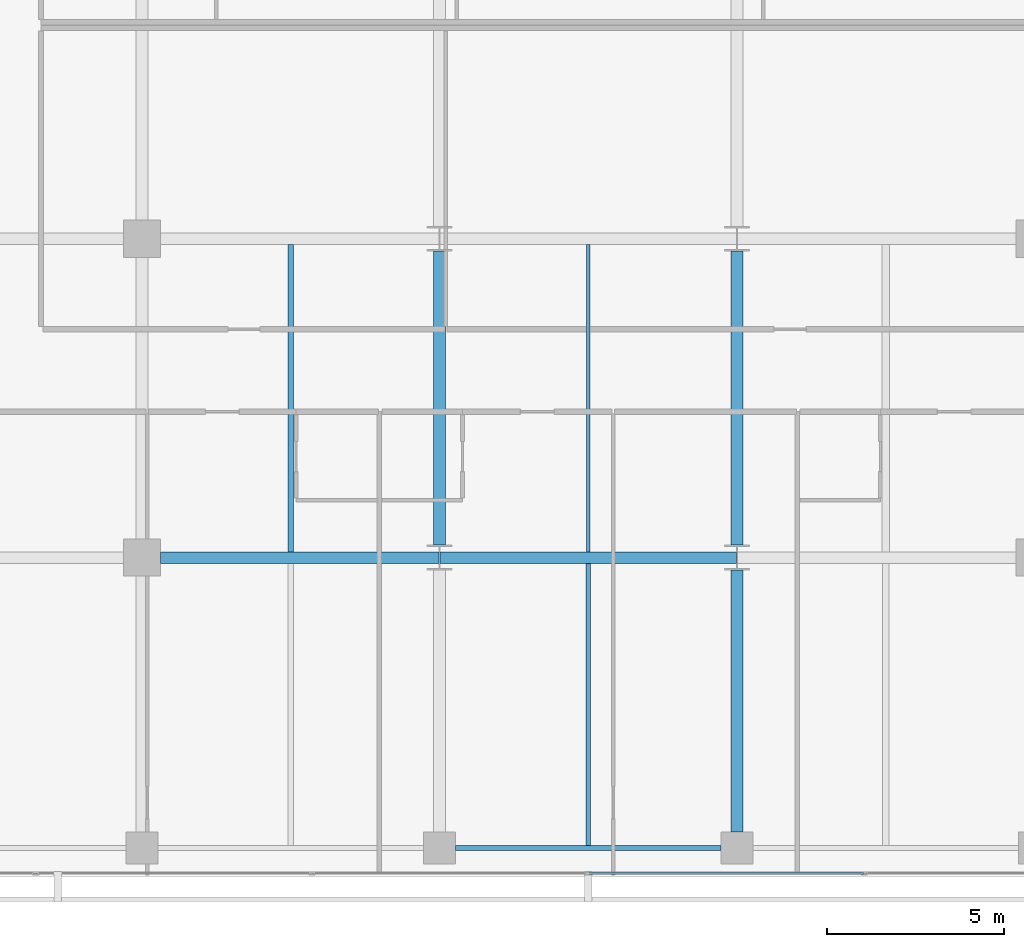
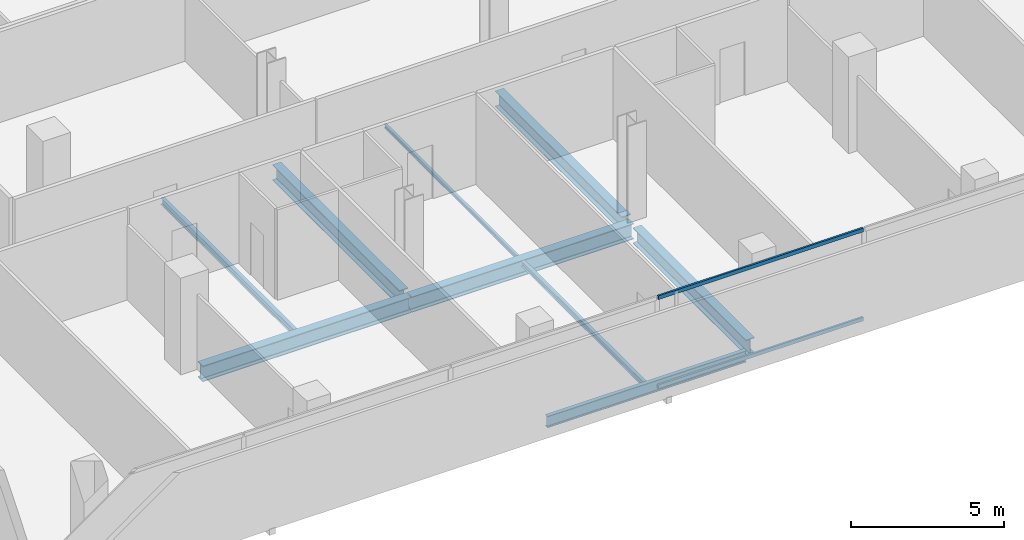
# One storey, part 9 of 39: 9 beams, 2 members, 1 element without a shape of its own.
"""IFC4 building model written with IfcOpenShell, lengths in metres."""

from ifc_helpers import new_model, si_unit, direction, frame, origin, origin_2d, place, context, subcontext, project, spatial, hollow_rectangle, i_section, extrude, material, layer, layer_set, material_profile, profile_set, type_object, element, aggregate, save


model = new_model("IFC4")

# Units and contexts
model_context = context("Model", 3, precision=1e-05, world=origin(), true_north=direction((0.0, 1.0)))
body_context = subcontext(model_context, "Body", "Model", "MODEL_VIEW")
ifc_project = project(units=[si_unit("LENGTHUNIT", "METRE"), si_unit("AREAUNIT", "SQUARE_METRE"), si_unit("VOLUMEUNIT", "CUBIC_METRE"), si_unit("PLANEANGLEUNIT", "RADIAN"), si_unit("MASSUNIT", "GRAM", prefix="KILO")], contexts=[model_context])

# Site, building, storey
site_placement = place(None, origin())
site = spatial("IfcSite", under=ifc_project, at=site_placement, CompositionType="ELEMENT")
building_placement = place(site_placement, origin())
building = spatial("IfcBuilding", under=site, at=building_placement, Name="Maruvema Waterfront Hotel and Observation Tower", CompositionType="ELEMENT")
storey_placement = place(building_placement, frame((0.0, 0.0, 69.300048828125)))
storey = spatial("IfcBuildingStorey", under=building, at=storey_placement, Name="L16", CompositionType="ELEMENT", Elevation=69.300048828125)

# Curtain wall, members
ifc_material_1 = material(Name="Anodised bronze aluminium and solar-control low-E IGU", Category="aluminium")
ifc_layer = layer(ifc_material_1, 0.159912109375, Name="Zone 1 Bronze Inner Thermal Curtain Wall System CW-02")
ifc_layer_set = layer_set([ifc_layer], Name="Anodised bronze aluminium and solar-control low-E IGU")
curtain_wall_type = type_object("IfcCurtainWallType", Name="Zone 1 Bronze Inner Thermal Curtain Wall System CW-02", PredefinedType="USERDEFINED", material=ifc_layer_set)
curtain_wall_placement = place(storey_placement, origin())
curtain_wall = element("IfcCurtainWall", 1, at=curtain_wall_placement, inside=storey, type_object=curtain_wall_type, Name="L16 Curtain Wall CW-L16-S", ObjectType="UNITISED CURTAIN WALL", PredefinedType="USERDEFINED")
ifc_material_2 = material(Name="Anodised architectural bronze aluminium", Category="aluminium")
ifc_material_profile_1 = material_profile(ifc_material_2, hollow_rectangle(XDim=0.070068359375, YDim=0.14990234375, WallThickness=0.00390625, at=origin_2d()), Name="ALU-T70x150")
ifc_profile_set_1 = profile_set([ifc_material_profile_1], Name="Anodised architectural bronze aluminium")
member_type = type_object("IfcMemberType", Name="Curtain Wall Horizontal Transom ALU-T70x150", PredefinedType="USERDEFINED", material=ifc_profile_set_1)
member_1_placement = place(storey_placement, frame((37.830078125, 0.080078125, 0.030029296875), z_axis=(1.0, 0.0, 0.0), x_axis=(0.0, 1.0, 0.0)))
member_1 = element("IfcMember", 2, at=member_1_placement, type_object=member_type, Name="CW-02 transom 4.1", ObjectType="TRANSOM", PredefinedType="USERDEFINED", context=body_context, shape_type="SweptSolid", body=[
    extrude(hollow_rectangle(XDim=0.070068359375, YDim=0.14990234375, WallThickness=0.00390625, at=origin_2d()), origin(), (0.0, 0.0, 1.0), 7.739990234375),
])
member_2_placement = place(storey_placement, frame((37.830078125, 0.080078125, 3.579833984375), z_axis=(1.0, 0.0, 0.0), x_axis=(0.0, 1.0, 0.0)))
member_2 = element("IfcMember", 3, at=member_2_placement, type_object=member_type, Name="CW-02 transom 4.2", ObjectType="TRANSOM", PredefinedType="USERDEFINED", context=body_context, shape_type="SweptSolid", body=[
    extrude(hollow_rectangle(XDim=0.070068359375, YDim=0.14990234375, WallThickness=0.00390625, at=origin_2d()), origin(), (0.0, 0.0, 1.0), 7.739990234375),
])
aggregate(curtain_wall, [member_1, member_2])

# Beams
ifc_material_3 = material(Name="Steel ASTM A572 Grade 50", Category="steel")
ifc_material_profile_2 = material_profile(ifc_material_3, i_section(OverallWidth=0.153076171875, OverallDepth=0.455078125, WebThickness=0.008056640625, FlangeThickness=0.01318359375, FilletRadius=0.014892578125, at=origin_2d()), Name="W460x60.0")
ifc_profile_set_2 = profile_set([ifc_material_profile_2], Name="Steel ASTM A572 Grade 50")
beam_type_1 = type_object("IfcBeamType", Name="Perimeter Spandrel Beam W460x60.0", PredefinedType="SPANDREL", material=ifc_profile_set_2)
beam_1_placement = place(storey_placement, frame((34.050048828125, 0.800048828125, -0.467529296875), z_axis=(1.0, 0.0, 0.0), x_axis=(0.0, 1.0, 0.0)))
element("IfcBeam", 4, at=beam_1_placement, inside=storey, type_object=beam_type_1, Name="L16 Floor Girder EW-03", PredefinedType="SPANDREL", context=body_context, shape_type="SweptSolid", body=[
    extrude(i_section(OverallWidth=0.153076171875, OverallDepth=0.455078125, WebThickness=0.008056640625, FlangeThickness=0.01318359375, FilletRadius=0.014892578125, at=origin_2d()), origin(), (0.0, 0.0, 1.0), 7.5),
])
ifc_material_4 = material(Name="Steel ASTM A572 Grade 50", Category="steel")
ifc_material_profile_3 = material_profile(ifc_material_4, i_section(OverallWidth=0.326904296875, OverallDepth=0.6220703125, WebThickness=0.015380859375, FlangeThickness=0.0244140625, FilletRadius=0.01806640625, at=origin_2d()), Name="W610x195.0")
ifc_profile_set_3 = profile_set([ifc_material_profile_3], Name="Steel ASTM A572 Grade 50")
beam_type_2 = type_object("IfcBeamType", Name="Primary Floor Girder W610x195.0", PredefinedType="BEAM", material=ifc_profile_set_3)
beam_2_placement = place(storey_placement, frame((25.72509765625, 9.0, -0.551025390625), z_axis=(1.0, 0.0, 0.0), x_axis=(0.0, 1.0, 0.0)))
element("IfcBeam", 5, at=beam_2_placement, inside=storey, type_object=beam_type_2, Name="L16 Floor Girder EW-08", PredefinedType="BEAM", context=body_context, shape_type="SweptSolid", body=[
    extrude(i_section(OverallWidth=0.326904296875, OverallDepth=0.6220703125, WebThickness=0.015380859375, FlangeThickness=0.0244140625, FilletRadius=0.01806640625, at=origin_2d()), origin(), (0.0, 0.0, 1.0), 7.86083984375),
])
beam_3_placement = place(storey_placement, frame((33.614013671875, 9.0, -0.551025390625), z_axis=(1.0, 0.0, 0.0), x_axis=(0.0, 1.0, 0.0)))
element("IfcBeam", 6, at=beam_3_placement, inside=storey, type_object=beam_type_2, Name="L16 Floor Girder EW-09", PredefinedType="BEAM", context=body_context, shape_type="SweptSolid", body=[
    extrude(i_section(OverallWidth=0.326904296875, OverallDepth=0.6220703125, WebThickness=0.015380859375, FlangeThickness=0.0244140625, FilletRadius=0.01806640625, at=origin_2d()), origin(), (0.0, 0.0, 1.0), 8.3720703125),
])
beam_4_placement = place(storey_placement, frame((33.60009765625, 9.35009765625, -0.551025390625), z_axis=(0.0, 1.0, 0.0), x_axis=(-1.0, 0.0, 0.0)))
element("IfcBeam", 7, at=beam_4_placement, inside=storey, type_object=beam_type_2, Name="L16 Floor Girder NS-17", PredefinedType="BEAM", context=body_context, shape_type="SweptSolid", body=[
    extrude(i_section(OverallWidth=0.326904296875, OverallDepth=0.6220703125, WebThickness=0.015380859375, FlangeThickness=0.0244140625, FilletRadius=0.01806640625, at=origin_2d()), origin(), (0.0, 0.0, 1.0), 8.2998046875),
])
beam_5_placement = place(storey_placement, frame((42.0, 1.25, -0.551025390625), z_axis=(0.0, 1.0, 0.0), x_axis=(-1.0, 0.0, 0.0)))
element("IfcBeam", 8, at=beam_5_placement, inside=storey, type_object=beam_type_2, Name="L16 Floor Girder NS-19", PredefinedType="BEAM", context=body_context, shape_type="SweptSolid", body=[
    extrude(i_section(OverallWidth=0.326904296875, OverallDepth=0.6220703125, WebThickness=0.015380859375, FlangeThickness=0.0244140625, FilletRadius=0.01806640625, at=origin_2d()), origin(), (0.0, 0.0, 1.0), 7.39990234375),
])
beam_6_placement = place(storey_placement, frame((42.0, 9.35009765625, -0.551025390625), z_axis=(0.0, 1.0, 0.0), x_axis=(-1.0, 0.0, 0.0)))
element("IfcBeam", 9, at=beam_6_placement, inside=storey, type_object=beam_type_2, Name="L16 Floor Girder NS-20", PredefinedType="BEAM", context=body_context, shape_type="SweptSolid", body=[
    extrude(i_section(OverallWidth=0.326904296875, OverallDepth=0.6220703125, WebThickness=0.015380859375, FlangeThickness=0.0244140625, FilletRadius=0.01806640625, at=origin_2d()), origin(), (0.0, 0.0, 1.0), 8.2998046875),
])
ifc_material_5 = material(Name="Steel ASTM A572 Grade 50", Category="steel")
ifc_material_profile_4 = material_profile(ifc_material_5, i_section(OverallWidth=0.10009765625, OverallDepth=0.153076171875, WebThickness=0.005859375, FlangeThickness=0.007080078125, FilletRadius=0.008056640625, at=origin_2d()), Name="W150x18.0")
ifc_profile_set_4 = profile_set([ifc_material_profile_4], Name="Steel ASTM A572 Grade 50")
beam_type_3 = type_object("IfcBeamType", Name="Secondary Floor Joist W150x18.0", PredefinedType="JOIST", material=ifc_profile_set_4)
beam_7_placement = place(storey_placement, frame((37.800048828125, 9.16357421875, -0.316650390625), z_axis=(0.0, 1.0, 0.0), x_axis=(-1.0, 0.0, 0.0)))
element("IfcBeam", 10, at=beam_7_placement, inside=storey, type_object=beam_type_3, Name="L16 Secondary Floor Joist JS-13", PredefinedType="JOIST", context=body_context, shape_type="SweptSolid", body=[
    extrude(i_section(OverallWidth=0.10009765625, OverallDepth=0.153076171875, WebThickness=0.005859375, FlangeThickness=0.007080078125, FilletRadius=0.008056640625, at=origin_2d()), origin(), (0.0, 0.0, 1.0), 8.6728515625),
])
ifc_material_6 = material(Name="Steel ASTM A572 Grade 50", Category="steel")
ifc_material_profile_5 = material_profile(ifc_material_6, i_section(OverallWidth=0.133056640625, OverallDepth=0.20703125, WebThickness=0.005859375, FlangeThickness=0.00830078125, FilletRadius=0.010009765625, at=origin_2d()), Name="W200x26.6")
ifc_profile_set_5 = profile_set([ifc_material_profile_5], Name="Steel ASTM A572 Grade 50")
beam_type_4 = type_object("IfcBeamType", Name="Secondary Floor Joist W200x26.6", PredefinedType="JOIST", material=ifc_profile_set_5)
beam_8_placement = place(storey_placement, frame((37.800048828125, 0.87646484375, -0.343505859375), z_axis=(0.0, 1.0, 0.0), x_axis=(-1.0, 0.0, 0.0)))
element("IfcBeam", 11, at=beam_8_placement, inside=storey, type_object=beam_type_4, Name="L16 Secondary Floor Joist JS-12", PredefinedType="JOIST", context=body_context, shape_type="SweptSolid", body=[
    extrude(i_section(OverallWidth=0.133056640625, OverallDepth=0.20703125, WebThickness=0.005859375, FlangeThickness=0.00830078125, FilletRadius=0.010009765625, at=origin_2d()), origin(), (0.0, 0.0, 1.0), 7.9599609375),
])
ifc_material_7 = material(Name="Steel ASTM A572 Grade 50", Category="steel")
ifc_material_profile_6 = material_profile(ifc_material_7, i_section(OverallWidth=0.14599609375, OverallDepth=0.258056640625, WebThickness=0.006103515625, FlangeThickness=0.009033203125, FilletRadius=0.012939453125, at=origin_2d()), Name="W250x32.7")
ifc_profile_set_6 = profile_set([ifc_material_profile_6], Name="Steel ASTM A572 Grade 50")
beam_type_5 = type_object("IfcBeamType", Name="Secondary Floor Joist W250x32.7", PredefinedType="JOIST", material=ifc_profile_set_6)
beam_9_placement = place(storey_placement, frame((29.39990234375, 9.16357421875, -0.369140625), z_axis=(0.0, 1.0, 0.0), x_axis=(-1.0, 0.0, 0.0)))
element("IfcBeam", 12, at=beam_9_placement, inside=storey, type_object=beam_type_5, Name="L16 Secondary Floor Joist JS-11", PredefinedType="JOIST", context=body_context, shape_type="SweptSolid", body=[
    extrude(i_section(OverallWidth=0.14599609375, OverallDepth=0.258056640625, WebThickness=0.006103515625, FlangeThickness=0.009033203125, FilletRadius=0.012939453125, at=origin_2d()), origin(), (0.0, 0.0, 1.0), 8.6728515625),
])

save(model, "model.ifc")
